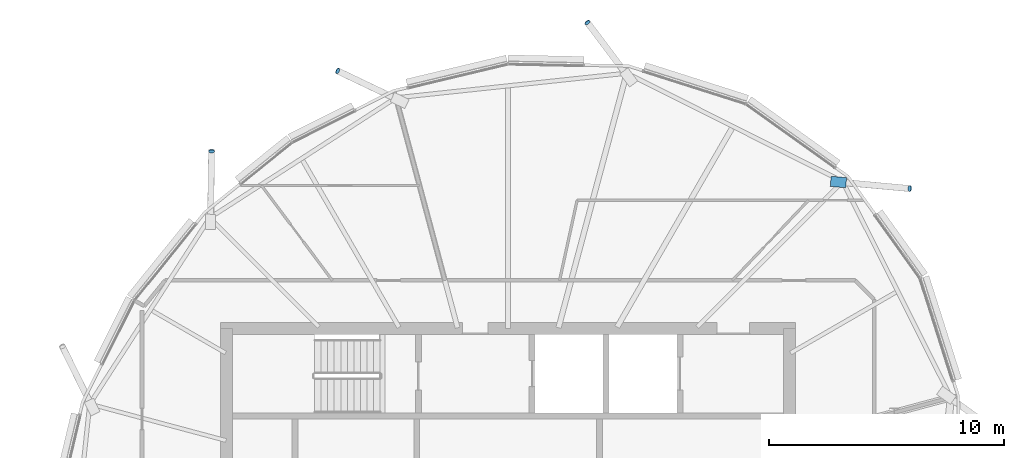
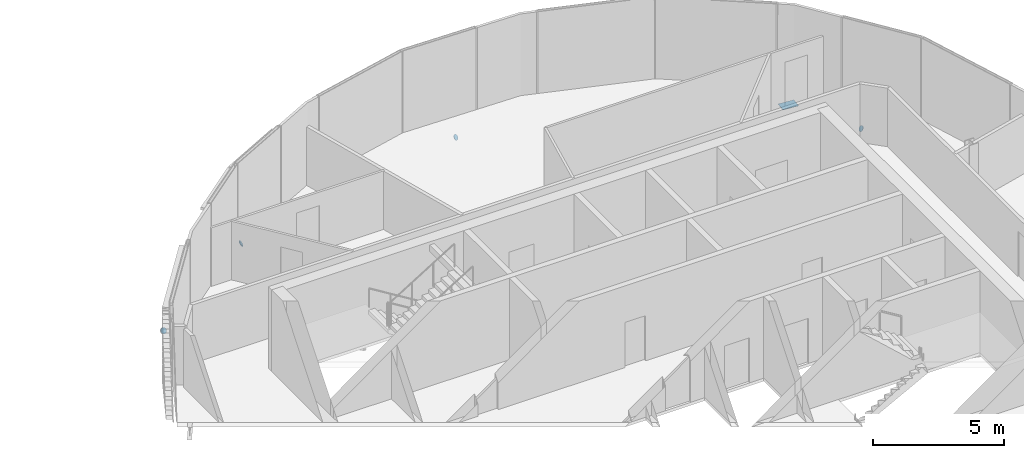
# One storey, part 28 of 33: 5 discrete accessories.
"""IFC4 building model written with IfcOpenShell, lengths in metres."""

import ifcopenshell
import ifcopenshell.guid

model = None  # the IFC model being written
_history = None  # IfcOwnerHistory: only IFC2X3 demands one
_inside = {}  # id of a spatial element -> (the spatial element, [elements in it])
_under = {}  # id of a project, library or spatial element -> (it, [spatial elements below it])
_declared = {}  # id of a project -> (the project, [libraries it declares])
_typed = {}  # id of a type object -> (the type object, [elements of that type])
_made_of = {}  # id of a material, layer set ... -> (it, [elements and type objects made of it])


def new_model(schema):
    """Start an empty IFC model of exactly this schema.

    Asked for "IFC4X3", IfcOpenShell would pick the latest addendum, in which some entities
    have other attributes; the version numbers below select the first issue.
    IFC2X3 requires an IfcOwnerHistory on every rooted entity: one is made here for all.
    """
    global model, _history
    if schema == "IFC4X3":
        model = ifcopenshell.file(schema_version=(4, 3, 0, 0))
    else:
        model = ifcopenshell.file(schema=schema)
    _inside.clear()
    _under.clear()
    _declared.clear()
    _typed.clear()
    _made_of.clear()
    _history = None
    if model.schema == "IFC2X3":
        org = make("IfcOrganization", Name="unknown")
        user = make(
            "IfcPersonAndOrganization",
            ThePerson=make("IfcPerson", FamilyName="unknown"),
            TheOrganization=org,
        )
        app = make(
            "IfcApplication",
            ApplicationDeveloper=org,
            Version="unknown",
            ApplicationFullName="unknown",
            ApplicationIdentifier="unknown",
        )
        _history = make(
            "IfcOwnerHistory",
            OwningUser=user,
            OwningApplication=app,
            ChangeAction="ADDED",
            CreationDate=0,
        )
    return model


def make(cls, **values):
    """One entity of the class cls with the attributes given. An attribute that is None is left unset."""
    return model.create_entity(
        cls, **{name: value for name, value in values.items() if value is not None}
    )


def rooted(cls, **values):
    """An entity with a GlobalId (a new one), such as an element, a storey or a relation."""
    return make(cls, GlobalId=ifcopenshell.guid.new(), OwnerHistory=_history, **values)


def si_unit(unit_type, name, prefix=None):
    """IfcSIUnit, for example si_unit("LENGTHUNIT", "METRE", prefix="MILLI")."""
    return make("IfcSIUnit", UnitType=unit_type, Prefix=prefix, Name=name)


def assignment(units):
    """IfcUnitAssignment: the units of a project."""
    return None if units is None else make("IfcUnitAssignment", Units=units)


def point(xyz):
    """IfcCartesianPoint."""
    return None if xyz is None else make("IfcCartesianPoint", Coordinates=xyz)


def direction(xyz):
    """IfcDirection."""
    return None if xyz is None else make("IfcDirection", DirectionRatios=xyz)


def frame(location, z_axis=None, x_axis=None):
    """IfcAxis2Placement3D, a coordinate frame: its origin and axes. An axis left out is left unset."""
    return make(
        "IfcAxis2Placement3D",
        Location=point(location),
        Axis=direction(z_axis),
        RefDirection=direction(x_axis),
    )


def frame_2d(location, x_axis=None):
    """IfcAxis2Placement2D, a coordinate frame in the plane: its origin and x axis."""
    return make(
        "IfcAxis2Placement2D", Location=point(location), RefDirection=direction(x_axis)
    )


def origin():
    """The frame at (0, 0, 0) with its axes left unset."""
    return frame((0.0, 0.0, 0.0))


def origin_2d():
    """The frame at (0, 0) in the plane with its x axis left unset."""
    return frame_2d((0.0, 0.0))


def place(relative_to, where):
    """IfcLocalPlacement: puts the frame where relative to a parent placement (None: the world)."""
    return make(
        "IfcLocalPlacement", PlacementRelTo=relative_to, RelativePlacement=where
    )


def context(
    kind, dimensions, precision=None, world=None, true_north=None, identifier=None
):
    """IfcGeometricRepresentationContext, for example the 3D "Model" context."""
    return make(
        "IfcGeometricRepresentationContext",
        ContextIdentifier=identifier,
        ContextType=kind,
        CoordinateSpaceDimension=dimensions,
        Precision=precision,
        WorldCoordinateSystem=world,
        TrueNorth=true_north,
    )


def subcontext(parent, identifier, kind, view, scale=None):
    """IfcGeometricRepresentationSubContext, for example "Body" below "Model"."""
    return make(
        "IfcGeometricRepresentationSubContext",
        ContextIdentifier=identifier,
        ContextType=kind,
        ParentContext=parent,
        TargetScale=scale,
        TargetView=view,
    )


def project(units=None, contexts=None):
    """IfcProject with its units and contexts."""
    return rooted(
        "IfcProject",
        Name="project",
        RepresentationContexts=contexts,
        UnitsInContext=assignment(units),
    )


def spatial(cls, under=None, at=None, **own):
    """A site, building, storey or space (cls), placed at a placement, below another one or the project."""
    s = rooted(cls, ObjectPlacement=at, **own)
    if under is not None:
        _under.setdefault(under.id(), (under, []))[1].append(s)
    return s


def polyline(points):
    """IfcPolyline through the points."""
    return make("IfcPolyline", Points=[point(p) for p in points])


def profile(cls, at=None, kind="AREA", **sizes):
    """A parametric profile (cls). Its sizes go by their IFC names, for example OverallWidth=200.0."""
    return make(cls, ProfileType=kind, Position=at, **sizes)


def rectangle(**sizes):
    """IfcRectangleProfileDef."""
    return profile("IfcRectangleProfileDef", **sizes)


def circle(**sizes):
    """IfcCircleProfileDef."""
    return profile("IfcCircleProfileDef", **sizes)


def outline(outer, holes=None, kind="AREA"):
    """IfcArbitraryClosedProfileDef: a profile drawn as a closed curve; with holes, ...WithVoids."""
    if holes is None:
        return make("IfcArbitraryClosedProfileDef", ProfileType=kind, OuterCurve=outer)
    return make(
        "IfcArbitraryProfileDefWithVoids",
        ProfileType=kind,
        OuterCurve=outer,
        InnerCurves=holes,
    )


def extrude(swept, where, along, depth):
    """IfcExtrudedAreaSolid: the profile swept, set in the frame where, extruded along a direction by depth."""
    return make(
        "IfcExtrudedAreaSolid",
        SweptArea=swept,
        Position=where,
        ExtrudedDirection=direction(along),
        Depth=depth,
    )


def shape(context_of_items, identifier, shape_type, items):
    """IfcShapeRepresentation: the items that make up one representation, for example the "Body"."""
    return make(
        "IfcShapeRepresentation",
        ContextOfItems=context_of_items,
        RepresentationIdentifier=identifier,
        RepresentationType=shape_type,
        Items=items,
    )


def material(Name=None, Category=None):
    """IfcMaterial."""
    return make("IfcMaterial", Name=Name, Category=Category)


def material_profile(
    of_material, cross_section, Name=None, Category=None, Priority=None
):
    """IfcMaterialProfile: a cross section and its material."""
    return make(
        "IfcMaterialProfile",
        Name=Name,
        Material=of_material,
        Profile=cross_section,
        Priority=Priority,
        Category=Category,
    )


def profile_set(profiles, Name=None, composite=None):
    """IfcMaterialProfileSet."""
    return make(
        "IfcMaterialProfileSet",
        Name=Name,
        MaterialProfiles=profiles,
        CompositeProfile=composite,
    )


def made_of(thing, what):
    """Note that an element or type object is made of a material, layer set ...; save() writes the relation."""
    if what is not None:
        _made_of.setdefault(what.id(), (what, []))[1].append(thing)
    return thing


def type_object(cls, material=None, **own):
    """A type object (cls), such as IfcWallType, which elements share."""
    return made_of(rooted(cls, **own), material)


def element(
    cls,
    number,
    at=None,
    inside=None,
    cuts=None,
    type_object=None,
    material=None,
    context=None,
    identifier="Body",
    shape_type=None,
    held_by="IfcProductDefinitionShape",
    body=None,
    shapes=None,
    **own,
):
    """One element of the class cls, such as IfcWall. Its Tag is "e" and its number.

    at: its placement. inside: the storey or other place that contains it. cuts: it is an
    opening in that element (IfcRelVoidsElement). A single representation is given by context,
    identifier, shape_type and body (its items); several are given by shapes. held_by: the class
    of the entity that holds the representations. save() writes the other relations.
    """
    e = rooted(cls, Tag="e%d" % number, ObjectPlacement=at, **own)
    if body is not None:
        shapes = [shape(context, identifier, shape_type, body)]
    if shapes is not None:
        e.Representation = make(held_by, Representations=shapes)
    if inside is not None:
        _inside.setdefault(inside.id(), (inside, []))[1].append(e)
    if cuts is not None:
        rooted(
            "IfcRelVoidsElement", RelatingBuildingElement=cuts, RelatedOpeningElement=e
        )
    if type_object is not None:
        _typed.setdefault(type_object.id(), (type_object, []))[1].append(e)
    return made_of(e, material)


def aggregate(whole, parts):
    """IfcRelAggregates: a whole, such as a stair, and the parts it consists of."""
    return rooted("IfcRelAggregates", RelatingObject=whole, RelatedObjects=parts)


def save(model, path):
    """Write the relations noted so far, then the file.

    IfcRelAggregates (storeys below a building ...), IfcRelContainedInSpatialStructure (elements
    in a storey), IfcRelDefinesByType, IfcRelAssociatesMaterial and IfcRelDeclares: one each for
    every whole, place, type object, material and project.
    """
    for whole, parts in _under.values():
        aggregate(whole, parts)
    for where, things in _inside.values():
        rooted(
            "IfcRelContainedInSpatialStructure",
            RelatedElements=things,
            RelatingStructure=where,
        )
    for kind, things in _typed.values():
        rooted("IfcRelDefinesByType", RelatedObjects=things, RelatingType=kind)
    for what, things in _made_of.values():
        rooted("IfcRelAssociatesMaterial", RelatedObjects=things, RelatingMaterial=what)
    for by, libraries in _declared.values():
        rooted("IfcRelDeclares", RelatingContext=by, RelatedDefinitions=libraries)
    model.write(path)


model = new_model("IFC4")

# Units and contexts
model_context = context("Model", 3, precision=1e-05, world=origin(), true_north=direction((0.0, 1.0)))
body_context = subcontext(model_context, "Body", "Model", "MODEL_VIEW")
ifc_project = project(units=[si_unit("LENGTHUNIT", "METRE"), si_unit("AREAUNIT", "SQUARE_METRE"), si_unit("VOLUMEUNIT", "CUBIC_METRE"), si_unit("PLANEANGLEUNIT", "RADIAN"), si_unit("MASSUNIT", "GRAM", prefix="KILO")], contexts=[model_context])

# Site, building, storey
site_placement = place(None, origin())
site = spatial("IfcSite", under=ifc_project, at=site_placement, CompositionType="ELEMENT")
building_placement = place(site_placement, origin())
building = spatial("IfcBuilding", under=site, at=building_placement, Name="Rimbun Link Towers", CompositionType="ELEMENT")
storey_placement = place(building_placement, frame((0.0, 0.0, 240.89990234375)))
storey = spatial("IfcBuildingStorey", under=building, at=storey_placement, Name="L59", CompositionType="ELEMENT", Elevation=240.89990234375)

# Discrete accessories
ifc_material_1 = material(Name="Steel S355J2H", Category="steel")
ifc_material_profile_1 = material_profile(ifc_material_1, circle(Radius=0.1240234375, at=origin_2d()), Name="PL D248")
ifc_profile_set_1 = profile_set([ifc_material_profile_1], Name="Steel S355J2H")
discrete_accessory_type_1 = type_object("IfcDiscreteAccessoryType", Name="Link foot sealing plate D248X20", PredefinedType="BRACKET", material=ifc_profile_set_1)
discrete_accessory_1_placement = place(storey_placement, frame((48.86572265625, 13.964111328125, -2.59228515625), z_axis=(0.836452024752, -0.086105355489, -0.541233663075), x_axis=(0.102400045474, 0.99474329889, 0.0)))
element("IfcDiscreteAccessory", 1, at=discrete_accessory_1_placement, inside=storey, type_object=discrete_accessory_type_1, Name="Link foot sealing plate T2 L59 00", PredefinedType="BRACKET", context=body_context, shape_type="SweptSolid", body=[
    extrude(circle(Radius=0.1240234375, at=origin_2d()), origin(), (0.0, 0.0, 1.0), 0.019775390625),
])
for number, where, z_axis, x_axis, name in (
    (2, (35.138671875, 21.036865234375, -2.4814453125), (-0.523418105875, 0.681660789046, -0.511245591785), (-0.793150213885, -0.60902605709, 0.0), "Link foot sealing plate T2 L59 02"),
    (3, (24.49609375, 18.97412109375, -2.44189453125), (-0.768635696271, 0.366016998224, -0.524624364121), (-0.429933580392, -0.902860518824, 0.0), "Link foot sealing plate T2 L59 04"),
    (4, (19.111083984375, 15.54736328125, -2.533447265625), (0.01226278679, 0.8338695017, -0.551825405536), (-0.999891886048, 0.014704292442, 0.0), "Link foot sealing plate T2 L59 06"),
):
    element("IfcDiscreteAccessory", number, at=place(storey_placement, frame(where, z_axis=z_axis, x_axis=x_axis)), inside=storey, type_object=discrete_accessory_type_1, Name=name, PredefinedType="BRACKET", context=body_context, shape_type="SweptSolid", body=[
        extrude(circle(Radius=0.1240234375, at=origin_2d()), origin(), (0.0, 0.0, 1.0), 0.02001953125),
    ])
ifc_material_2 = material(Name="Steel S355J2H", Category="steel")
ifc_material_profile_2 = material_profile(ifc_material_2, rectangle(XDim=0.43310546875, YDim=0.43310546875, at=origin_2d()), Name="PL 433x433")
ifc_profile_set_2 = profile_set([ifc_material_profile_2], Name="Steel S355J2H")
discrete_accessory_type_2 = type_object("IfcDiscreteAccessoryType", Name="Link head end plate 433X20", PredefinedType="BRACKET", material=ifc_profile_set_2)
discrete_accessory_2_placement = place(storey_placement, frame((0.0, 0.0, -0.61328125)))
element("IfcDiscreteAccessory", 5, at=discrete_accessory_2_placement, inside=storey, type_object=discrete_accessory_type_2, Name="Link head end plate T2 L59 00", PredefinedType="BRACKET", context=body_context, shape_type="SweptSolid", body=[
    extrude(outline(polyline([(45.484619140625, 14.05615234375), (46.142822265625, 13.995849609375), (46.182373046875, 14.427001953125), (45.52392578125, 14.4873046875), (45.484619140625, 14.05615234375)])), origin(), (0.0, 0.0, 1.0), 0.02001953125),
])

save(model, "model.ifc")
